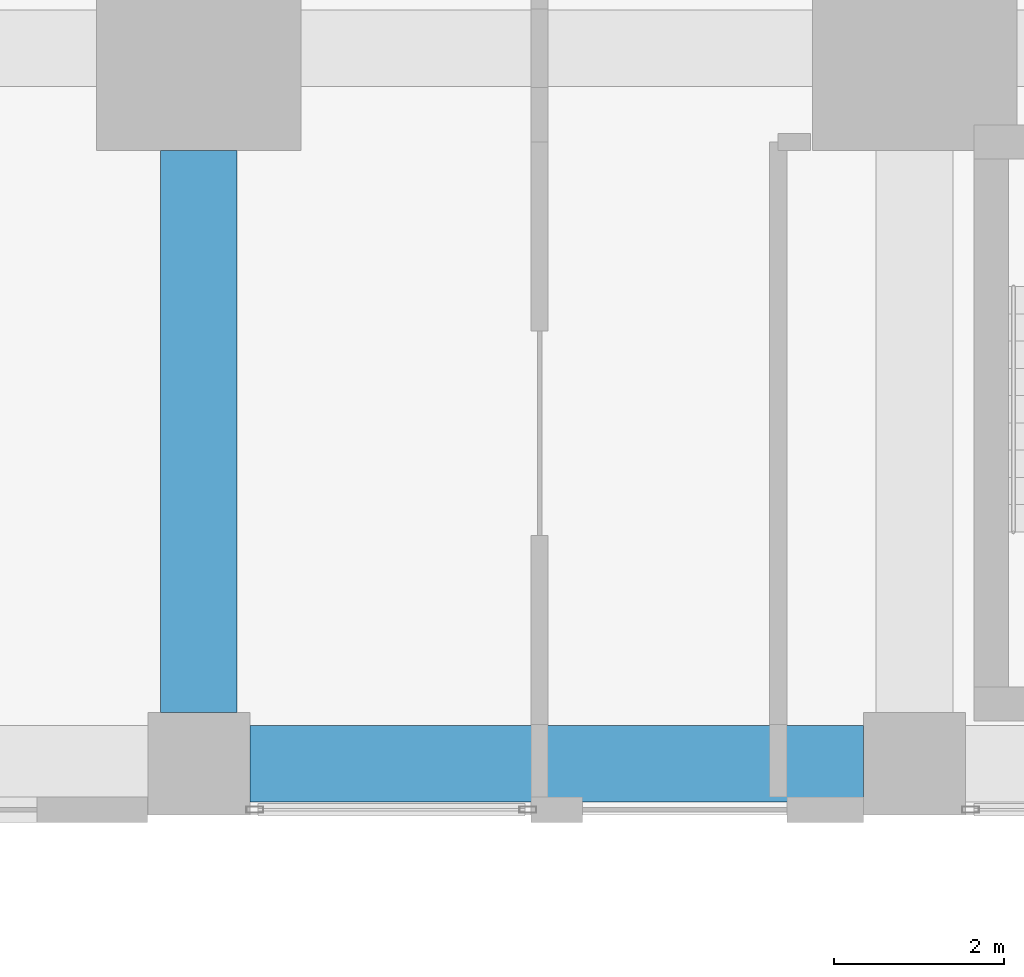
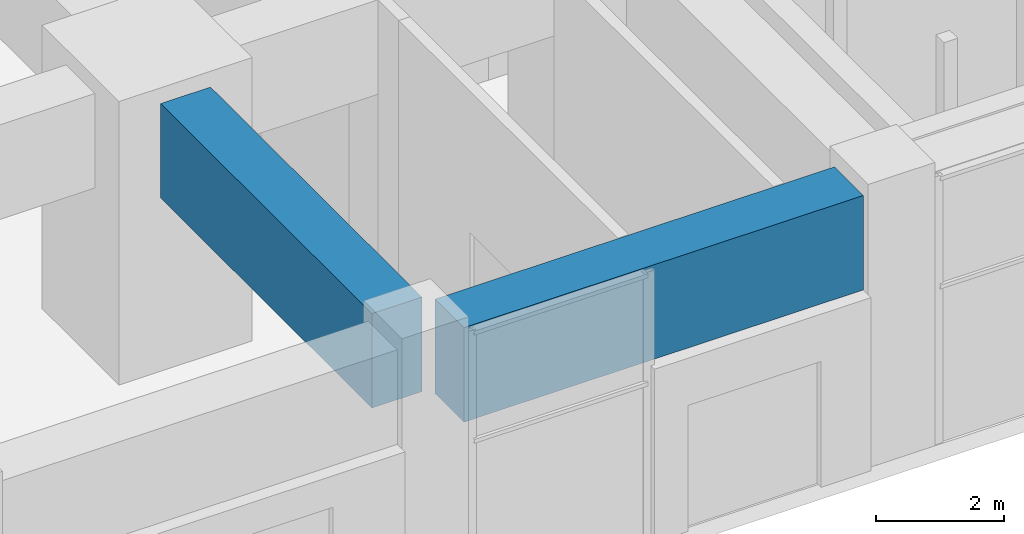
# One storey, part 4 of 81: 2 beams.
"""IFC4 building model written with IfcOpenShell, lengths in metres."""

from ifc_helpers import new_model, si_unit, direction, frame, origin, origin_2d, place, context, subcontext, project, spatial, rectangle, extrude, material, material_profile, profile_set, type_object, element, save


model = new_model("IFC4")

# Units and contexts
model_context = context("Model", 3, precision=1e-05, world=origin(), true_north=direction((0.0, 1.0)))
body_context = subcontext(model_context, "Body", "Model", "MODEL_VIEW")
ifc_project = project(units=[si_unit("LENGTHUNIT", "METRE"), si_unit("AREAUNIT", "SQUARE_METRE"), si_unit("VOLUMEUNIT", "CUBIC_METRE"), si_unit("PLANEANGLEUNIT", "RADIAN"), si_unit("MASSUNIT", "GRAM", prefix="KILO")], contexts=[model_context])

# Site, building, storey
site_placement = place(None, origin())
site = spatial("IfcSite", under=ifc_project, at=site_placement, CompositionType="ELEMENT")
building_placement = place(site_placement, origin())
building = spatial("IfcBuilding", under=site, at=building_placement, Name="Rekha Terrace Tower", CompositionType="ELEMENT")
storey_placement = place(building_placement, origin())
storey = spatial("IfcBuildingStorey", under=building, at=storey_placement, Name="L00", CompositionType="ELEMENT", Elevation=0.0)

# Beams
ifc_material = material(Name="Concrete M60", Category="concrete")
ifc_material_profile = material_profile(ifc_material, rectangle(XDim=0.89990234375, YDim=1.800048828125, at=origin_2d()), Name="RC 900x1800")
ifc_profile_set = profile_set([ifc_material_profile], Name="Concrete M60")
beam_type = type_object("IfcBeamType", Name="G1 900x1800 podium floor beam", PredefinedType="BEAM", material=ifc_profile_set)
beam_1_placement = place(storey_placement, frame((9.0, 0.0, 4.199951171875), z_axis=(1.0, 0.0, 0.0), x_axis=(0.0, 1.0, 0.0)))
element("IfcBeam", 1, at=beam_1_placement, inside=storey, type_object=beam_type, Name="Beam G1 2A-3A under L01", PredefinedType="BEAM", context=body_context, shape_type="SweptSolid", body=[
    extrude(rectangle(XDim=0.89990234375, YDim=1.800048828125, at=origin_2d()), origin(), (0.0, 0.0, 1.0), 7.199951171875),
])
beam_2_placement = place(storey_placement, frame((8.39990234375, 0.60009765625, 4.199951171875), z_axis=(0.0, 1.0, 0.0), x_axis=(-1.0, 0.0, 0.0)))
element("IfcBeam", 2, at=beam_2_placement, inside=storey, type_object=beam_type, Name="Beam G1 2A-2B under L01", PredefinedType="BEAM", context=body_context, shape_type="SweptSolid", body=[
    extrude(rectangle(XDim=0.89990234375, YDim=1.800048828125, at=origin_2d()), origin(), (0.0, 0.0, 1.0), 6.599853515625),
])

save(model, "model.ifc")
